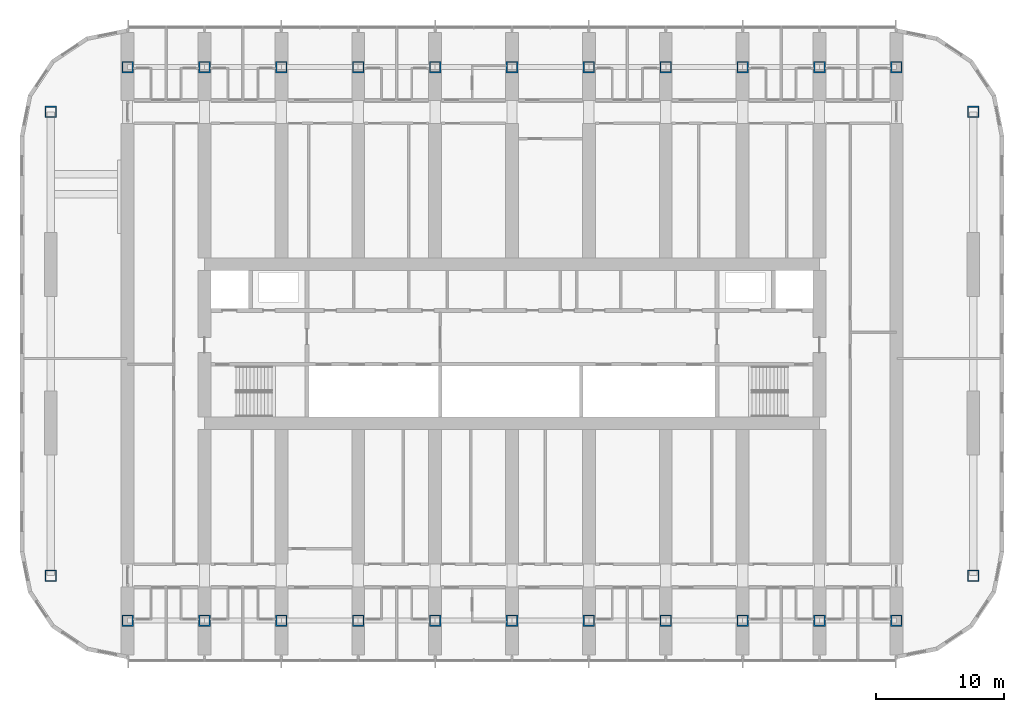
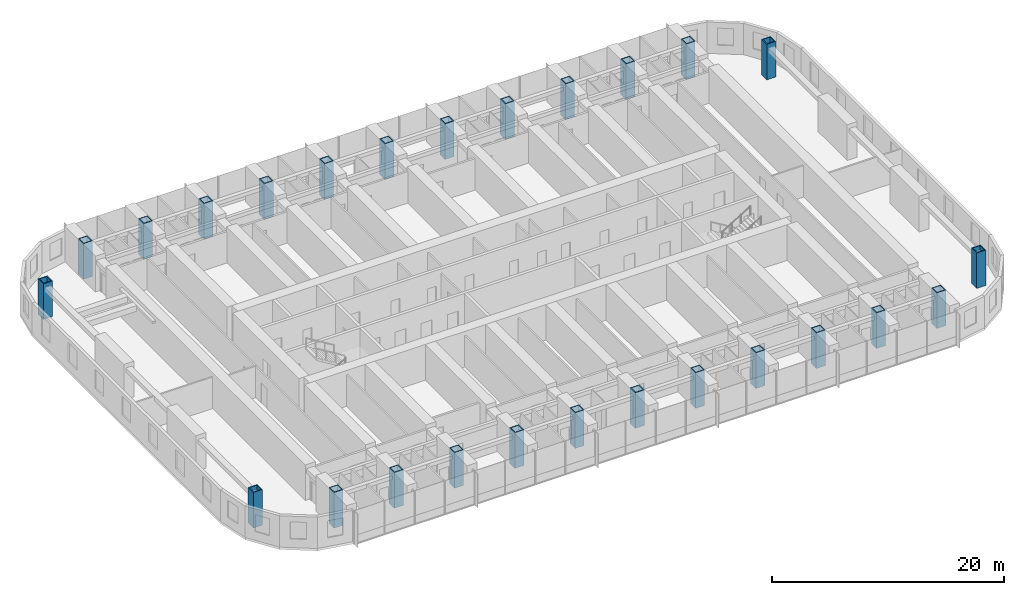
# One storey, part 1 of 24: 26 columns.
"""IFC4 building model written with IfcOpenShell, lengths in metres."""

from ifc_helpers import new_model, si_unit, direction, frame, origin, origin_2d, place, context, subcontext, project, spatial, hollow_rectangle, extrude, material, material_profile, profile_set, type_object, element, save


model = new_model("IFC4")

# Units and contexts
model_context = context("Model", 3, precision=1e-05, world=origin(), true_north=direction((0.0, 1.0)))
body_context = subcontext(model_context, "Body", "Model", "MODEL_VIEW")
ifc_project = project(units=[si_unit("LENGTHUNIT", "METRE"), si_unit("AREAUNIT", "SQUARE_METRE"), si_unit("VOLUMEUNIT", "CUBIC_METRE"), si_unit("PLANEANGLEUNIT", "RADIAN"), si_unit("MASSUNIT", "GRAM", prefix="KILO")], contexts=[model_context])

# Site, building, storey
site_placement = place(None, origin())
site = spatial("IfcSite", under=ifc_project, at=site_placement, CompositionType="ELEMENT")
building_placement = place(site_placement, origin())
building = spatial("IfcBuilding", under=site, at=building_placement, Name="Orbita Commons", CompositionType="ELEMENT")
storey_placement = place(building_placement, frame((0.0, 0.0, 20.199951171875)))
storey = spatial("IfcBuildingStorey", under=building, at=storey_placement, Name="L04", CompositionType="ELEMENT", Elevation=20.199951171875)

# Columns
ifc_material = material(Name="Steel ASTM A572 Gr 50 welded plate", Category="steel")
ifc_material_profile = material_profile(ifc_material, hollow_rectangle(XDim=0.89990234375, YDim=0.89990234375, WallThickness=0.090087890625, at=origin_2d()), Name="BOX 900x900x90")
ifc_profile_set = profile_set([ifc_material_profile], Name="Steel ASTM A572 Gr 50 welded plate")
column_type = type_object("IfcColumnType", Name="Steel column BOX 900x900x90", PredefinedType="COLUMN", material=ifc_profile_set)
for number, where, z_axis, x_axis, name in (
    (1, (12.0, 10.39990234375, 0.0), (0.0, 0.0, 1.0), (1.0, 0.0, 0.0), "Column 3/B L04"),
    (2, (12.0, 53.60009765625, 0.0), (0.0, 0.0, 1.0), (1.0, 0.0, 0.0), "Column 3/E L04"),
    (3, (18.0, 10.39990234375, 0.0), (0.0, 0.0, 1.0), (1.0, 0.0, 0.0), "Column 4/B L04"),
    (4, (18.0, 53.60009765625, 0.0), (0.0, 0.0, 1.0), (1.0, 0.0, 0.0), "Column 4/E L04"),
    (5, (24.0, 10.39990234375, 0.0), (0.0, 0.0, 1.0), (1.0, 0.0, 0.0), "Column 5/B L04"),
    (6, (24.0, 53.60009765625, 0.0), (0.0, 0.0, 1.0), (1.0, 0.0, 0.0), "Column 5/E L04"),
    (7, (30.0, 10.39990234375, 0.0), (0.0, 0.0, 1.0), (1.0, 0.0, 0.0), "Column 6/B L04"),
    (8, (30.0, 53.60009765625, 0.0), (0.0, 0.0, 1.0), (1.0, 0.0, 0.0), "Column 6/E L04"),
    (9, (36.0, 10.39990234375, 0.0), (0.0, 0.0, 1.0), (1.0, 0.0, 0.0), "Column 7/B L04"),
    (10, (36.0, 53.60009765625, 0.0), (0.0, 0.0, 1.0), (1.0, 0.0, 0.0), "Column 7/E L04"),
    (11, (42.0, 10.39990234375, 0.0), (0.0, 0.0, 1.0), (1.0, 0.0, 0.0), "Column 8/B L04"),
    (12, (42.0, 53.60009765625, 0.0), (0.0, 0.0, 1.0), (1.0, 0.0, 0.0), "Column 8/E L04"),
    (13, (48.0, 10.39990234375, 0.0), (0.0, 0.0, 1.0), (1.0, 0.0, 0.0), "Column 9/B L04"),
    (14, (48.0, 53.60009765625, 0.0), (0.0, 0.0, 1.0), (1.0, 0.0, 0.0), "Column 9/E L04"),
    (15, (54.0, 10.39990234375, 0.0), (0.0, 0.0, 1.0), (1.0, 0.0, 0.0), "Column 10/B L04"),
    (16, (54.0, 53.60009765625, 0.0), (0.0, 0.0, 1.0), (1.0, 0.0, 0.0), "Column 10/E L04"),
    (17, (60.0, 10.39990234375, 0.0), (0.0, 0.0, 1.0), (1.0, 0.0, 0.0), "Column 11/B L04"),
    (18, (60.0, 53.60009765625, 0.0), (0.0, 0.0, 1.0), (1.0, 0.0, 0.0), "Column 11/E L04"),
    (19, (66.0, 10.39990234375, 0.0), (0.0, 0.0, 1.0), (1.0, 0.0, 0.0), "Column 12/B L04"),
    (20, (66.0, 53.60009765625, 0.0), (0.0, 0.0, 1.0), (1.0, 0.0, 0.0), "Column 12/E L04"),
    (21, (72.0, 10.39990234375, 0.0), (0.0, 0.0, 1.0), (1.0, 0.0, 0.0), "Column 13/B L04"),
    (22, (72.0, 53.60009765625, 0.0), (0.0, 0.0, 1.0), (1.0, 0.0, 0.0), "Column 13/E L04"),
    (23, (6.0, 13.89990234375, 0.0), (0.0, 0.0, 1.0), (1.0, 0.0, 0.0), "Column 2/13.9 L04"),
    (24, (6.0, 50.10009765625, 0.0), (0.0, 0.0, 1.0), (1.0, 0.0, 0.0), "Column 2/50.1 L04"),
    (25, (78.0, 13.89990234375, 0.0), (0.0, 0.0, 1.0), (1.0, 0.0, 0.0), "Column 14/13.9 L04"),
    (26, (78.0, 50.10009765625, 0.0), (0.0, 0.0, 1.0), (1.0, 0.0, 0.0), "Column 14/50.1 L04"),
):
    element("IfcColumn", number, at=place(storey_placement, frame(where, z_axis=z_axis, x_axis=x_axis)), inside=storey, type_object=column_type, Name=name, PredefinedType="COLUMN", context=body_context, shape_type="SweptSolid", body=[
        extrude(hollow_rectangle(XDim=0.89990234375, YDim=0.89990234375, WallThickness=0.090087890625, at=origin_2d()), origin(), (0.0, 0.0, 1.0), 3.75),
    ])

save(model, "model.ifc")
